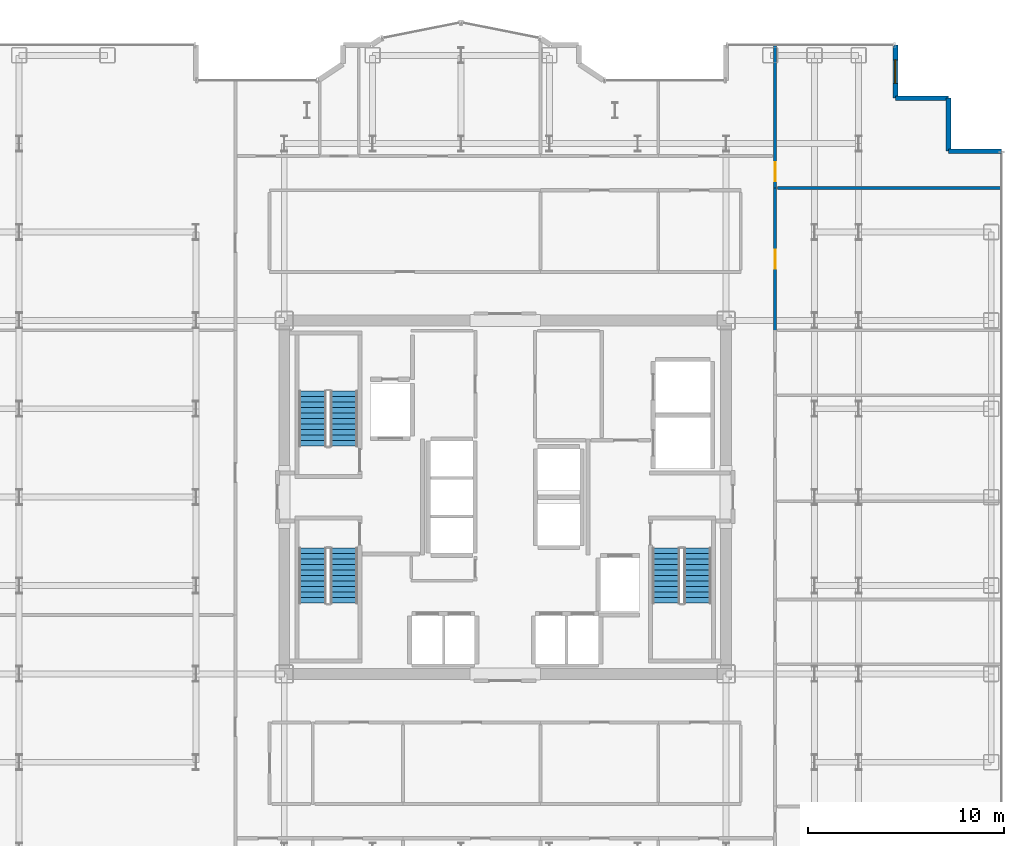
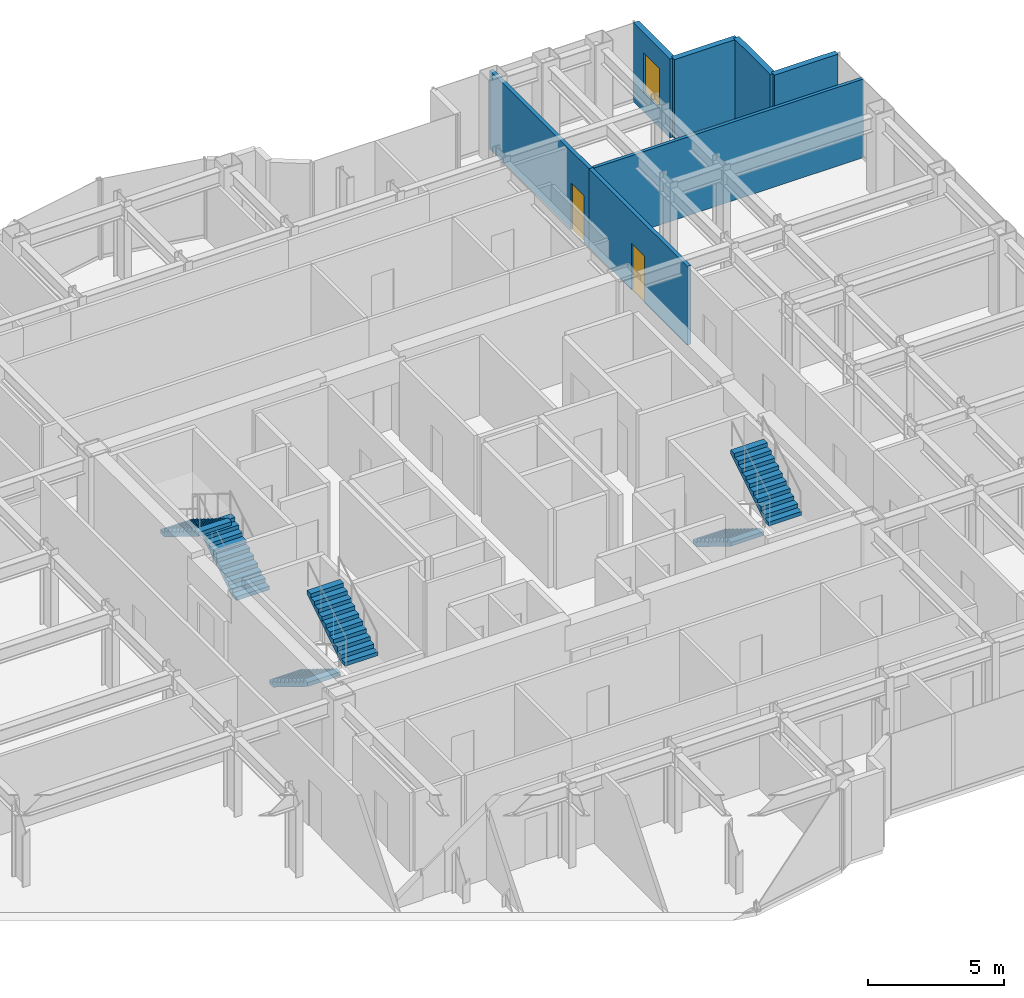
# One storey, part 22 of 23: 7 walls, 6 stair flights, 2 doors, 1 window, 3 openings, 3 elements without a shape of their own.
"""IFC4 building model written with IfcOpenShell, lengths in metres."""

from ifc_helpers import new_model, si_unit, direction, frame, frame_2d, origin, place, context, subcontext, project, spatial, polyline, rectangle, outline, extrude, source, transform, mapped, material, layer, layer_set, type_object, element, fill, aggregate, save


model = new_model("IFC4")

# Units and contexts
model_context = context("Model", 3, precision=1e-05, world=origin(), true_north=direction((0.0, 1.0)))
body_context = subcontext(model_context, "Body", "Model", "MODEL_VIEW")
ifc_project = project(units=[si_unit("LENGTHUNIT", "METRE"), si_unit("AREAUNIT", "SQUARE_METRE"), si_unit("VOLUMEUNIT", "CUBIC_METRE"), si_unit("PLANEANGLEUNIT", "RADIAN"), si_unit("MASSUNIT", "GRAM", prefix="KILO")], contexts=[model_context])

# Site, building, storey
site_placement = place(None, origin())
site = spatial("IfcSite", under=ifc_project, at=site_placement, CompositionType="ELEMENT")
building_placement = place(site_placement, origin())
building = spatial("IfcBuilding", under=site, at=building_placement, Name="Nefas-Gora Pilgrimage Tower", CompositionType="ELEMENT")
storey_placement = place(building_placement, frame((0.0, 0.0, 175.39990234375)))
storey = spatial("IfcBuildingStorey", under=building, at=storey_placement, Name="L43", CompositionType="ELEMENT", Elevation=175.39990234375)

# Walls
ifc_material_1 = material(Name="Precast concrete C45/55", Category="concrete")
ifc_layer_1 = layer(ifc_material_1, 0.239990234375)
ifc_layer_set_1 = layer_set([ifc_layer_1], Name="Precast concrete C45/55")
wall_type_1 = type_object("IfcWallType", Name="EW-SERR-240", PredefinedType="SHEAR", material=ifc_layer_set_1)
shared_shape_1 = source(origin(), body_context, "Body", "SweptSolid", [
    extrude(rectangle(XDim=2.699951171875, YDim=0.239990234375, at=frame_2d((1.35009765625, 0.0))), origin(), (0.0, 0.0, 1.0), 3.550048828125),
])
for number, where, z_axis, x_axis, name in (
    (1, (25.27001953125, 17.6201171875, 0.0), (0.0, 0.0, 1.0), (-1.0, 0.0, 0.0), "L43 Serrated Corner Shear Pier Wall 6"),
    (2, (22.570068359375, 17.6201171875, 0.0), (0.0, 0.0, 1.0), (0.0, 1.0, 0.0), "L43 Serrated Corner Shear Pier Wall 7"),
    (3, (22.570068359375, 20.320068359375, 0.0), (0.0, 0.0, 1.0), (-1.0, 0.0, 0.0), "L43 Serrated Corner Shear Pier Wall 8"),
):
    element("IfcWall", number, at=place(storey_placement, frame(where, z_axis=z_axis, x_axis=x_axis)), inside=storey, type_object=wall_type_1, Name=name, PredefinedType="SHEAR", context=body_context, shape_type="MappedRepresentation", body=[
        mapped(shared_shape_1, transform((0.0, 0.0, 0.0), x_axis=(1.0, 0.0, 0.0), y_axis=(0.0, 1.0, 0.0), z_axis=(0.0, 0.0, 1.0), scale=1.0)),
    ])

# Wall, opening, window
wall_1_placement = place(storey_placement, frame((19.8701171875, 20.320068359375, 0.0), z_axis=(0.0, 0.0, 1.0), x_axis=(0.0, 1.0, 0.0)))
wall_1 = element("IfcWall", 4, at=wall_1_placement, inside=storey, type_object=wall_type_1, Name="L43 Serrated Corner Shear Pier Wall 9", PredefinedType="SHEAR", context=body_context, shape_type="MappedRepresentation", body=[
    mapped(shared_shape_1, transform((0.0, 0.0, 0.0), x_axis=(1.0, 0.0, 0.0), y_axis=(0.0, 1.0, 0.0), z_axis=(0.0, 0.0, 1.0), scale=1.0)),
])
opening_1_placement = place(wall_1_placement, frame((0.75, 0.0, 0.85009765625)))
opening_1 = element("IfcOpeningElement", 5, at=opening_1_placement, cuts=wall_1, Name="Opening W-V1", PredefinedType="OPENING", context=body_context, shape_type="SweptSolid", body=[
    extrude(rectangle(XDim=1.199951171875, YDim=1.800048828125, at=frame_2d((0.60009765625, 0.89990234375))), frame((0.0, 0.1298828125, 0.0), z_axis=(0.0, -1.0, 0.0), x_axis=(1.0, 0.0, 0.0)), (0.0, 0.0, 1.0), 0.260009765625),
])
ifc_material_2 = material(Name="Dark ceramic-fritted operable aluminium-glass window", Category="aluminium")
window_type = type_object("IfcWindowType", Name="WIN-VENT-1200x1800", PartitioningType="SINGLE_PANEL", PredefinedType="WINDOW", material=ifc_material_2)
shared_shape_2 = source(origin(), body_context, "Body", "SweptSolid", [
    extrude(rectangle(XDim=1.199951171875, YDim=1.800048828125, at=frame_2d((0.60009765625, 0.89990234375))), frame((0.0, 0.030029296875, 0.0), z_axis=(0.0, -1.0, 0.0), x_axis=(1.0, 0.0, 0.0)), (0.0, 0.0, 1.0), 0.06005859375),
])
window_placement = place(opening_1_placement, origin())
window = element("IfcWindow", 6, at=window_placement, inside=storey, type_object=window_type, Name="L43 Operable Parallel-Outswing Window 9", OverallHeight=1.800048828125, OverallWidth=1.199951171875, PartitioningType="SINGLE_PANEL", PredefinedType="WINDOW", context=body_context, shape_type="MappedRepresentation", body=[
    mapped(shared_shape_2, transform((0.0, 0.0, 0.0), x_axis=(1.0, 0.0, 0.0), y_axis=(0.0, 1.0, 0.0), z_axis=(0.0, 0.0, 1.0), scale=1.0)),
])
fill(opening_1, window)

# Wall
ifc_material_3 = material(Name="Gypsum twin-stud partition")
ifc_layer_2 = layer(ifc_material_3, 0.139892578125)
ifc_layer_set_2 = layer_set([ifc_layer_2], Name="Gypsum twin-stud partition")
wall_type_2 = type_object("IfcWallType", Name="IW-UNIT-140", PredefinedType="PARTITIONING", material=ifc_layer_set_2)
shared_shape_3 = source(origin(), body_context, "Body", "SweptSolid", [
    extrude(rectangle(XDim=11.429931640625, YDim=0.139892578125, at=frame_2d((5.71484375, 0.0))), origin(), (0.0, 0.0, 1.0), 3.53515625),
])
wall_2_placement = place(storey_placement, frame((13.860107421875, 15.74755859375, 0.0), z_axis=(0.0, 0.0, 1.0), x_axis=(1.0, 0.0, 0.0)))
element("IfcWall", 7, at=wall_2_placement, inside=storey, type_object=wall_type_2, Name="L43 Pilgrim Contemplative Lounge Partition Wall 46", PredefinedType="PARTITIONING", context=body_context, shape_type="MappedRepresentation", body=[
    mapped(shared_shape_3, transform((0.0, 0.0, 0.0), x_axis=(1.0, 0.0, 0.0), y_axis=(0.0, 1.0, 0.0), z_axis=(0.0, 0.0, 1.0), scale=1.0)),
])

# Wall, opening, door
ifc_material_4 = material(Name="Gypsum acoustic stud partition")
ifc_layer_3 = layer(ifc_material_4, 0.159912109375)
ifc_layer_set_3 = layer_set([ifc_layer_3], Name="Gypsum acoustic stud partition")
wall_type_3 = type_object("IfcWallType", Name="IW-CORR-160", PredefinedType="PARTITIONING", material=ifc_layer_set_3)
shared_shape_4 = source(origin(), body_context, "Body", "SweptSolid", [
    extrude(rectangle(XDim=7.302490234375, YDim=0.159912109375, at=frame_2d((3.6513671875, 0.0))), origin(), (0.0, 0.0, 1.0), 3.53515625),
])
wall_3_placement = place(storey_placement, frame((13.739990234375, 15.737548828125, 0.0), z_axis=(0.0, 0.0, 1.0), x_axis=(0.0, 1.0, 0.0)))
wall_3 = element("IfcWall", 8, at=wall_3_placement, inside=storey, type_object=wall_type_3, Name="L43 Pilgrim Contemplative Lounge Partition Wall 45", PredefinedType="PARTITIONING", context=body_context, shape_type="MappedRepresentation", body=[
    mapped(shared_shape_4, transform((0.0, 0.0, 0.0), x_axis=(1.0, 0.0, 0.0), y_axis=(0.0, 1.0, 0.0), z_axis=(0.0, 0.0, 1.0), scale=1.0)),
])
opening_2_placement = place(wall_3_placement, frame((0.361328125, 0.0, 0.0)))
opening_2 = element("IfcOpeningElement", 9, at=opening_2_placement, cuts=wall_3, Name="Opening ID-GR1", PredefinedType="OPENING", context=body_context, shape_type="SweptSolid", body=[
    extrude(rectangle(XDim=0.949951171875, YDim=2.10009765625, at=frame_2d((0.47509765625, 1.050048828125))), frame((0.0, 0.08984375, 0.0), z_axis=(0.0, -1.0, 0.0), x_axis=(1.0, 0.0, 0.0)), (0.0, 0.0, 1.0), 0.179931640625),
])
ifc_material_5 = material(Name="Solid core oak fire-rated guest entrance door")
door_type = type_object("IfcDoorType", Name="DR-INT-GUEST-950", OperationType="NOTDEFINED", PredefinedType="DOOR", material=ifc_material_5)
shared_shape_5 = source(origin(), body_context, "Body", "SweptSolid", [
    extrude(rectangle(XDim=0.949951171875, YDim=2.10009765625, at=frame_2d((0.47509765625, 1.050048828125))), frame((0.0, 0.02490234375, 0.0), z_axis=(0.0, -1.0, 0.0), x_axis=(1.0, 0.0, 0.0)), (0.0, 0.0, 1.0), 0.050048828125),
])
door_1_placement = place(opening_2_placement, origin())
door_1 = element("IfcDoor", 10, at=door_1_placement, inside=storey, type_object=door_type, Name="L43 Pilgrim Contemplative Lounge Door 20", OperationType="SINGLE_SWING_LEFT", OverallHeight=2.10009765625, OverallWidth=0.949951171875, PredefinedType="DOOR", context=body_context, shape_type="MappedRepresentation", body=[
    mapped(shared_shape_5, transform((0.0, 0.0, 0.0), x_axis=(1.0, 0.0, 0.0), y_axis=(0.0, 1.0, 0.0), z_axis=(0.0, 0.0, 1.0), scale=1.0)),
])
fill(opening_2, door_1)

shared_shape_6 = source(origin(), body_context, "Body", "SweptSolid", [
    extrude(rectangle(XDim=7.242431640625, YDim=0.159912109375, at=frame_2d((3.62109375, 0.0))), origin(), (0.0, 0.0, 1.0), 3.53515625),
])
wall_4_placement = place(storey_placement, frame((13.739990234375, 8.4951171875, 0.0), z_axis=(0.0, 0.0, 1.0), x_axis=(0.0, 1.0, 0.0)))
wall_4 = element("IfcWall", 11, at=wall_4_placement, inside=storey, type_object=wall_type_3, Name="L43 Pilgrim Contemplative Lounge Partition Wall 47", PredefinedType="PARTITIONING", context=body_context, shape_type="MappedRepresentation", body=[
    mapped(shared_shape_6, transform((0.0, 0.0, 0.0), x_axis=(1.0, 0.0, 0.0), y_axis=(0.0, 1.0, 0.0), z_axis=(0.0, 0.0, 1.0), scale=1.0)),
])
opening_3_placement = place(wall_4_placement, frame((3.146240234375, 0.0, 0.0)))
opening_3 = element("IfcOpeningElement", 12, at=opening_3_placement, cuts=wall_4, Name="Opening ID-GR1", PredefinedType="OPENING", context=body_context, shape_type="SweptSolid", body=[
    extrude(rectangle(XDim=0.949951171875, YDim=2.10009765625, at=frame_2d((0.47509765625, 1.050048828125))), frame((0.0, 0.08984375, 0.0), z_axis=(0.0, -1.0, 0.0), x_axis=(1.0, 0.0, 0.0)), (0.0, 0.0, 1.0), 0.179931640625),
])
door_2_placement = place(opening_3_placement, origin())
door_2 = element("IfcDoor", 13, at=door_2_placement, inside=storey, type_object=door_type, Name="L43 Pilgrim Contemplative Lounge Door 21", OperationType="SINGLE_SWING_RIGHT", OverallHeight=2.10009765625, OverallWidth=0.949951171875, PredefinedType="DOOR", context=body_context, shape_type="MappedRepresentation", body=[
    mapped(shared_shape_5, transform((0.0, 0.0, 0.0), x_axis=(1.0, 0.0, 0.0), y_axis=(0.0, 1.0, 0.0), z_axis=(0.0, 0.0, 1.0), scale=1.0)),
])
fill(opening_3, door_2)

# Stair, stair flights
ifc_material_6 = material(Name="Concrete C45/55", Category="concrete")
stair_type = type_object("IfcStairType", Name="STR-1400-R1727", PredefinedType="HALF_TURN_STAIR", material=ifc_material_6)
stair_1_placement = place(storey_placement, origin())
stair_1 = element("IfcStair", 14, at=stair_1_placement, inside=storey, type_object=stair_type, Name="L43 Pressurised Tower Exit Stair ST-01", PredefinedType="HALF_TURN_STAIR")
stair_flight_type = type_object("IfcStairFlightType", Name="STF-1400-R1727", PredefinedType="STRAIGHT", material=ifc_material_6)
shared_shape_7 = source(origin(), body_context, "Body", "SweptSolid", [
    extrude(outline(polyline([(0.0, 0.0), (0.0, 0.172607421875), (0.280029296875, 0.172607421875), (0.280029296875, 0.345458984375), (0.56005859375, 0.345458984375), (0.56005859375, 0.51806640625), (0.840087890625, 0.51806640625), (0.840087890625, 0.69091796875), (1.1201171875, 0.69091796875), (1.1201171875, 0.863525390625), (1.39990234375, 0.863525390625), (1.39990234375, 1.036376953125), (1.679931640625, 1.036376953125), (1.679931640625, 1.208984375), (1.9599609375, 1.208984375), (1.9599609375, 1.3818359375), (2.239990234375, 1.3818359375), (2.239990234375, 1.554443359375), (2.52001953125, 1.554443359375), (2.52001953125, 1.727294921875), (2.800048828125, 1.727294921875), (2.800048828125, 1.89990234375), (2.800048828125, 1.551025390625), (0.285400390625, 0.0), (0.0, 0.0)])), frame((0.0, 0.699951171875, 0.0), z_axis=(0.0, -1.0, 0.0), x_axis=(1.0, 0.0, 0.0)), (0.0, 0.0, 1.0), 1.39990234375),
])
stair_flight_1_placement = place(storey_placement, frame((-8.199951171875, 2.60009765625, 0.0), z_axis=(0.0, 0.0, 1.0), x_axis=(0.0, 1.0, 0.0)))
stair_flight_1 = element("IfcStairFlight", 15, at=stair_flight_1_placement, type_object=stair_flight_type, Name="ST-01 flight 1", NumberOfRisers=11, NumberOfTreads=10, PredefinedType="STRAIGHT", RiserHeight=0.172727273, TreadLength=0.28, context=body_context, shape_type="MappedRepresentation", body=[
    mapped(shared_shape_7, transform((0.0, 0.0, 0.0), x_axis=(1.0, 0.0, 0.0), y_axis=(0.0, 1.0, 0.0), z_axis=(0.0, 0.0, 1.0), scale=1.0)),
])
stair_flight_2_placement = place(storey_placement, frame((-9.800048828125, 5.39990234375, 1.900146484375), z_axis=(0.0, 0.0, 1.0), x_axis=(0.0, -1.0, 0.0)))
stair_flight_2 = element("IfcStairFlight", 16, at=stair_flight_2_placement, type_object=stair_flight_type, Name="ST-01 flight 2", NumberOfRisers=11, NumberOfTreads=10, PredefinedType="STRAIGHT", RiserHeight=0.172727273, TreadLength=0.28, context=body_context, shape_type="MappedRepresentation", body=[
    mapped(shared_shape_7, transform((0.0, 0.0, 0.0), x_axis=(1.0, 0.0, 0.0), y_axis=(0.0, 1.0, 0.0), z_axis=(0.0, 0.0, 1.0), scale=1.0)),
])
aggregate(stair_1, [stair_flight_1, stair_flight_2])

stair_2_placement = place(storey_placement, origin())
stair_2 = element("IfcStair", 17, at=stair_2_placement, inside=storey, type_object=stair_type, Name="L43 Pressurised Tower Exit Stair ST-02", PredefinedType="HALF_TURN_STAIR")
stair_flight_3_placement = place(storey_placement, frame((8.199951171875, -2.60009765625, 0.0), z_axis=(0.0, 0.0, 1.0), x_axis=(0.0, -1.0, 0.0)))
stair_flight_3 = element("IfcStairFlight", 18, at=stair_flight_3_placement, type_object=stair_flight_type, Name="ST-02 flight 1", NumberOfRisers=11, NumberOfTreads=10, PredefinedType="STRAIGHT", RiserHeight=0.172727273, TreadLength=0.28, context=body_context, shape_type="MappedRepresentation", body=[
    mapped(shared_shape_7, transform((0.0, 0.0, 0.0), x_axis=(1.0, 0.0, 0.0), y_axis=(0.0, 1.0, 0.0), z_axis=(0.0, 0.0, 1.0), scale=1.0)),
])
stair_flight_4_placement = place(storey_placement, frame((9.800048828125, -5.39990234375, 1.900146484375), z_axis=(0.0, 0.0, 1.0), x_axis=(0.0, 1.0, 0.0)))
stair_flight_4 = element("IfcStairFlight", 19, at=stair_flight_4_placement, type_object=stair_flight_type, Name="ST-02 flight 2", NumberOfRisers=11, NumberOfTreads=10, PredefinedType="STRAIGHT", RiserHeight=0.172727273, TreadLength=0.28, context=body_context, shape_type="MappedRepresentation", body=[
    mapped(shared_shape_7, transform((0.0, 0.0, 0.0), x_axis=(1.0, 0.0, 0.0), y_axis=(0.0, 1.0, 0.0), z_axis=(0.0, 0.0, 1.0), scale=1.0)),
])
aggregate(stair_2, [stair_flight_3, stair_flight_4])

stair_3_placement = place(storey_placement, origin())
stair_3 = element("IfcStair", 20, at=stair_3_placement, inside=storey, type_object=stair_type, Name="L43 Pressurised Tower Exit Stair ST-03", PredefinedType="HALF_TURN_STAIR")
stair_flight_5_placement = place(storey_placement, frame((-9.800048828125, -2.60009765625, 0.0), z_axis=(0.0, 0.0, 1.0), x_axis=(0.0, -1.0, 0.0)))
stair_flight_5 = element("IfcStairFlight", 21, at=stair_flight_5_placement, type_object=stair_flight_type, Name="ST-03 flight 1", NumberOfRisers=11, NumberOfTreads=10, PredefinedType="STRAIGHT", RiserHeight=0.172727273, TreadLength=0.28, context=body_context, shape_type="MappedRepresentation", body=[
    mapped(shared_shape_7, transform((0.0, 0.0, 0.0), x_axis=(1.0, 0.0, 0.0), y_axis=(0.0, 1.0, 0.0), z_axis=(0.0, 0.0, 1.0), scale=1.0)),
])
stair_flight_6_placement = place(storey_placement, frame((-8.199951171875, -5.39990234375, 1.900146484375), z_axis=(0.0, 0.0, 1.0), x_axis=(0.0, 1.0, 0.0)))
stair_flight_6 = element("IfcStairFlight", 22, at=stair_flight_6_placement, type_object=stair_flight_type, Name="ST-03 flight 2", NumberOfRisers=11, NumberOfTreads=10, PredefinedType="STRAIGHT", RiserHeight=0.172727273, TreadLength=0.28, context=body_context, shape_type="MappedRepresentation", body=[
    mapped(shared_shape_7, transform((0.0, 0.0, 0.0), x_axis=(1.0, 0.0, 0.0), y_axis=(0.0, 1.0, 0.0), z_axis=(0.0, 0.0, 1.0), scale=1.0)),
])
aggregate(stair_3, [stair_flight_5, stair_flight_6])

save(model, "model.ifc")
